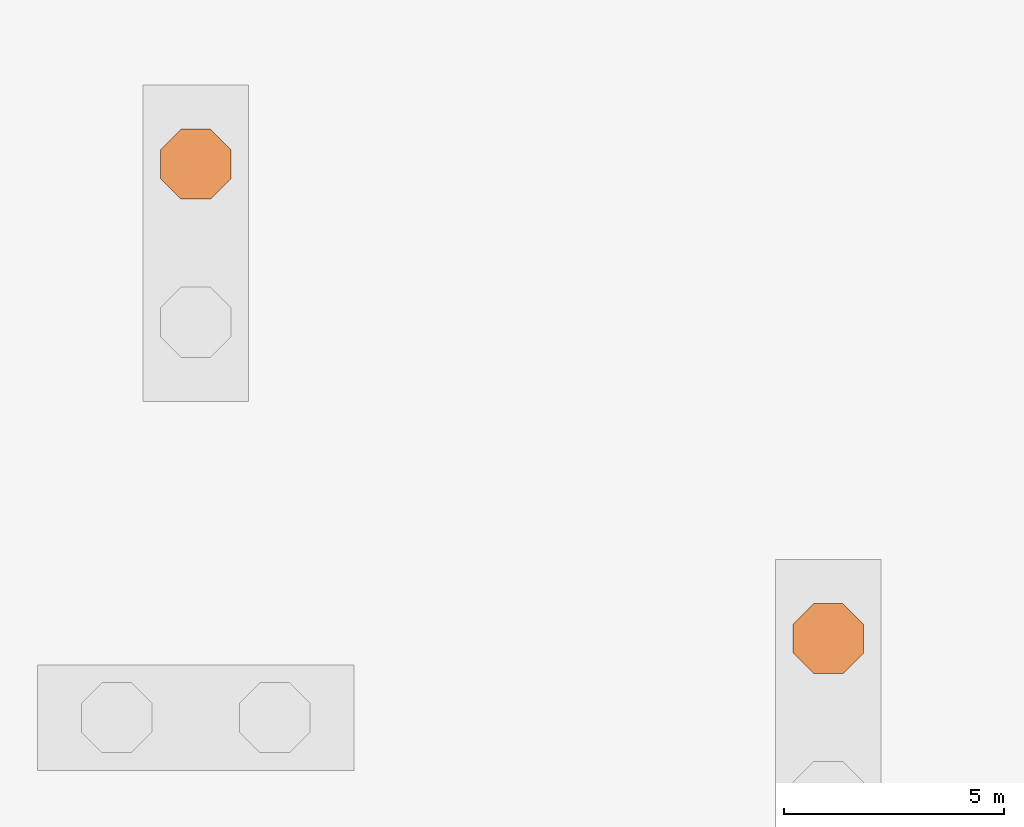
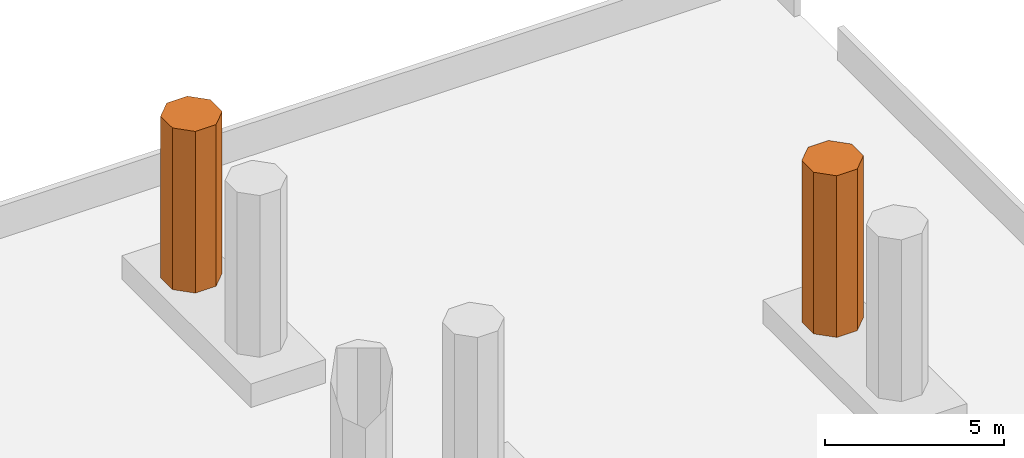
# One storey, part 31 of 31: 2 geographic elements.
"""IFC4 building model written with IfcOpenShell, lengths in metres."""

from ifc_helpers import new_model, si_unit, direction, frame, origin, place, context, subcontext, project, spatial, polyline, outline, extrude, material, element, save


model = new_model("IFC4")

# Units and contexts
model_context = context("Model", 3, precision=1e-05, world=origin(), true_north=direction((0.0, 1.0)))
body_context = subcontext(model_context, "Body", "Model", "MODEL_VIEW")
ifc_project = project(units=[si_unit("LENGTHUNIT", "METRE"), si_unit("AREAUNIT", "SQUARE_METRE"), si_unit("VOLUMEUNIT", "CUBIC_METRE"), si_unit("PLANEANGLEUNIT", "RADIAN"), si_unit("MASSUNIT", "GRAM", prefix="KILO")], contexts=[model_context])

# Site, building, storey
site_placement = place(None, origin())
site = spatial("IfcSite", under=ifc_project, at=site_placement, CompositionType="ELEMENT")
building_placement = place(site_placement, origin())
building = spatial("IfcBuilding", under=site, at=building_placement, Name="Fustian Cross Tower", CompositionType="ELEMENT")
storey_placement = place(building_placement, frame((0.0, 0.0, 7.199951171875)))
storey = spatial("IfcBuildingStorey", under=building, at=storey_placement, Name="L01", CompositionType="ELEMENT", Elevation=7.199951171875)

# Geographic elements
ifc_material = material(Name="Evergreen foliage")
geographic_element_1_placement = place(storey_placement, frame((0.0, 0.0, 0.800048828125)))
element("IfcGeographicElement", 1, at=geographic_element_1_placement, inside=storey, material=ifc_material, Name="TREE D44", ObjectType="VEGETATION", PredefinedType="USERDEFINED", context=body_context, shape_type="SweptSolid", body=[
    extrude(outline(polyline([(29.60009765625, 45.331298828125), (29.13134765625, 45.800048828125), (28.46875, 45.800048828125), (28.0, 45.331298828125), (28.0, 44.668701171875), (28.46875, 44.199951171875), (29.13134765625, 44.199951171875), (29.60009765625, 44.668701171875), (29.60009765625, 45.331298828125)])), origin(), (0.0, 0.0, 1.0), 5.5),
])
geographic_element_2_placement = place(storey_placement, frame((0.0, 0.0, 0.800048828125)))
element("IfcGeographicElement", 2, at=geographic_element_2_placement, inside=storey, material=ifc_material, Name="TREE D54", ObjectType="VEGETATION", PredefinedType="USERDEFINED", context=body_context, shape_type="SweptSolid", body=[
    extrude(outline(polyline([(44.0, 34.53125), (43.53125, 35.0), (42.86865234375, 35.0), (42.39990234375, 34.53125), (42.39990234375, 33.86865234375), (42.86865234375, 33.39990234375), (43.53125, 33.39990234375), (44.0, 33.86865234375), (44.0, 34.53125)])), origin(), (0.0, 0.0, 1.0), 5.5),
])

save(model, "model.ifc")
